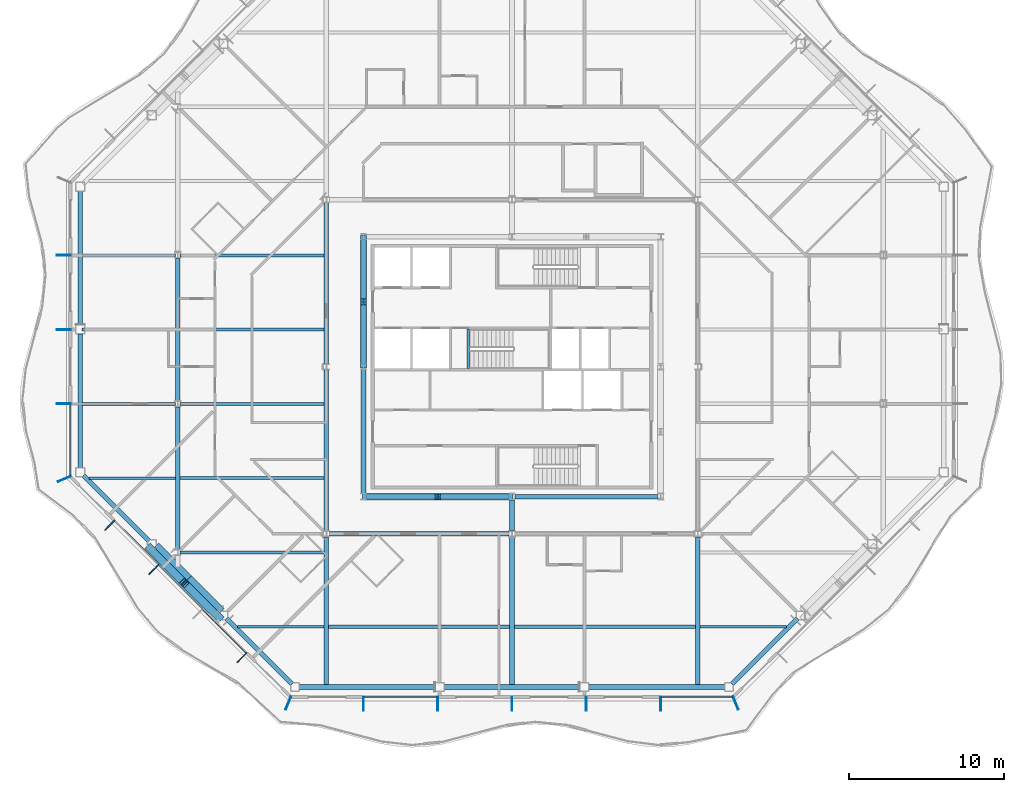
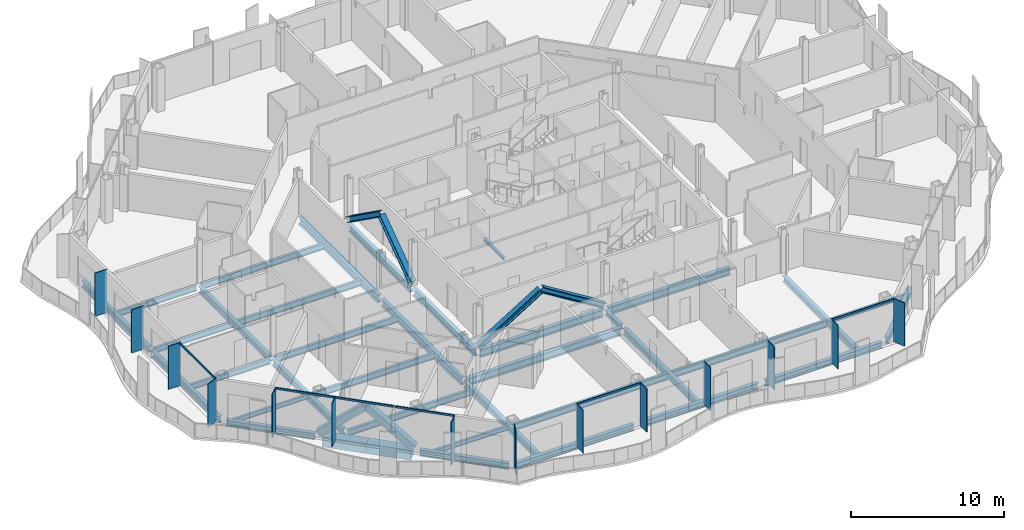
# One storey, part 3 of 21: 37 beams, 26 members, 4 elements without a shape of their own.
"""IFC4 building model written with IfcOpenShell, lengths in metres."""

from ifc_helpers import new_model, si_unit, direction, frame, origin, origin_2d, place, context, subcontext, project, spatial, rectangle, hollow_rectangle, i_section, extrude, material, material_profile, profile_set, type_object, element, aggregate, save


model = new_model("IFC4")

# Units and contexts
model_context = context("Model", 3, precision=1e-05, world=origin(), true_north=direction((0.0, 1.0)))
body_context = subcontext(model_context, "Body", "Model", "MODEL_VIEW")
ifc_project = project(units=[si_unit("LENGTHUNIT", "METRE"), si_unit("AREAUNIT", "SQUARE_METRE"), si_unit("VOLUMEUNIT", "CUBIC_METRE"), si_unit("PLANEANGLEUNIT", "RADIAN"), si_unit("MASSUNIT", "GRAM", prefix="KILO")], contexts=[model_context])

# Site, building, storey
site_placement = place(None, origin())
site = spatial("IfcSite", under=ifc_project, at=site_placement, CompositionType="ELEMENT")
building_placement = place(site_placement, origin())
building = spatial("IfcBuilding", under=site, at=building_placement, Name="Cairn Pilgrim Tower", CompositionType="ELEMENT")
storey_placement = place(building_placement, frame((0.0, 0.0, 154.199951171875)))
storey = spatial("IfcBuildingStorey", under=building, at=storey_placement, Name="L38", CompositionType="ELEMENT", Elevation=154.199951171875)

# Members
ifc_material_1 = material(Name="Structural steel S460M", Category="steel")
ifc_material_profile_1 = material_profile(ifc_material_1, hollow_rectangle(XDim=0.5, YDim=0.5, WallThickness=0.030029296875, at=origin_2d()), Name="BOX 500x500x30")
ifc_profile_set_1 = profile_set([ifc_material_profile_1], Name="Structural steel S460M")
member_type_1 = type_object("IfcMemberType", Name="BOX 500x500x30 BRACE", PredefinedType="BRACE", material=ifc_profile_set_1)
for number, where, z_axis, x_axis, name in (
    (1, (-16.243408203125, -9.2978515625, 0.150146484375), (0.532872437944, -0.54041586551, 0.651151024866), (0.712058976351, 0.702119658034, 0.0), "XB-SW2-SW3-1"),
    (2, (-11.697998046875, -13.84326171875, 0.150146484375), (-0.540432836476, 0.53283023714, 0.651171473306), (-0.702080283622, -0.712097799006, 0.0), "XB-SW2-SW3-2"),
):
    element("IfcMember", number, at=place(storey_placement, frame(where, z_axis=z_axis, x_axis=x_axis)), inside=storey, type_object=member_type_1, Name=name, PredefinedType="BRACE", context=body_context, shape_type="SweptSolid", body=[
        extrude(hollow_rectangle(XDim=0.5, YDim=0.5, WallThickness=0.030029296875, at=origin_2d()), origin(), (0.0, 0.0, 1.0), 4.142578125),
    ])

# Beams
ifc_material_2 = material(Name="Structural steel S355J2", Category="steel")
ifc_material_profile_2 = material_profile(ifc_material_2, hollow_rectangle(XDim=0.699951171875, YDim=0.800048828125, WallThickness=0.0400390625, at=origin_2d()), Name="BOX 700x800x40")
ifc_profile_set_2 = profile_set([ifc_material_profile_2], Name="Structural steel S355J2")
beam_type_1 = type_object("IfcBeamType", Name="BOX 700x800x40 RING GIRDER", PredefinedType="SPANDREL", material=ifc_profile_set_2)
beam_1_placement = place(storey_placement, frame((-15.884765625, -9.242431640625, -0.550048828125), z_axis=(0.707106781187, -0.707106781187, 0.0), x_axis=(0.707106781187, 0.707106781187, 0.0)))
element("IfcBeam", 3, at=beam_1_placement, inside=storey, type_object=beam_type_1, Name="RG2-SW2-SW3-1", PredefinedType="SPANDREL", context=body_context, shape_type="SweptSolid", body=[
    extrude(hollow_rectangle(XDim=0.699951171875, YDim=0.800048828125, WallThickness=0.0400390625, at=origin_2d()), origin(), (0.0, 0.0, 1.0), 2.999755859375),
])
beam_2_placement = place(storey_placement, frame((-13.763671875, -11.363525390625, -0.550048828125), z_axis=(0.707106781187, -0.707106781187, 0.0), x_axis=(0.707106781187, 0.707106781187, 0.0)))
element("IfcBeam", 4, at=beam_2_placement, inside=storey, type_object=beam_type_1, Name="RG2-SW2-SW3-2", PredefinedType="SPANDREL", context=body_context, shape_type="SweptSolid", body=[
    extrude(hollow_rectangle(XDim=0.699951171875, YDim=0.800048828125, WallThickness=0.0400390625, at=origin_2d()), origin(), (0.0, 0.0, 1.0), 3.0),
])

# Curtain wall, members
ifc_material_3 = material(Name="Aluminium alloy 6063-T6 bronze anodised with Bronze tinted laminated low-E glass 8+16+8.8", Category="aluminium")
curtain_wall_type_1 = type_object("IfcCurtainWallType", Name="TOWER STICK CURTAIN WALL NS", PredefinedType="NOTDEFINED", material=ifc_material_3)
curtain_wall_1_placement = place(storey_placement, origin())
curtain_wall_1 = element("IfcCurtainWall", 5, at=curtain_wall_1_placement, inside=storey, type_object=curtain_wall_type_1, Name="Tower Stick Curtain Wall Ns S", PredefinedType="NOTDEFINED")
ifc_material_4 = material(Name="Aluminium alloy 6063-T6 bronze anodised", Category="aluminium")
ifc_material_profile_3 = material_profile(ifc_material_4, rectangle(XDim=0.89990234375, YDim=0.06005859375, at=origin_2d()), Name="FIN MULLION 60x900 BRONZE")
ifc_profile_set_3 = profile_set([ifc_material_profile_3], Name="Aluminium alloy 6063-T6 bronze anodised")
member_type_2 = type_object("IfcMemberType", Name="FIN MULLION 60x900 BRONZE", PredefinedType="MULLION", material=ifc_profile_set_3)
member_1_placement = place(storey_placement, frame((-7.257080078125, -19.338134765625, 0.0), z_axis=(0.0, 0.0, 1.0), x_axis=(-0.382683432365, -0.923879532511, 0.0)))
member_1 = element("IfcMember", 6, at=member_1_placement, type_object=member_type_2, Name="Fin mullion S1", PredefinedType="MULLION", context=body_context, shape_type="SweptSolid", body=[
    extrude(rectangle(XDim=0.89990234375, YDim=0.06005859375, at=origin_2d()), origin(), (0.0, 0.0, 1.0), 3.449951171875),
])
member_2_placement = place(storey_placement, frame((-2.39990234375, -19.3701171875, 0.0), z_axis=(0.0, 0.0, 1.0), x_axis=(0.0, -1.0, 0.0)))
member_2 = element("IfcMember", 7, at=member_2_placement, type_object=member_type_2, Name="Fin mullion S2", PredefinedType="MULLION", context=body_context, shape_type="SweptSolid", body=[
    extrude(rectangle(XDim=0.89990234375, YDim=0.06005859375, at=origin_2d()), origin(), (0.0, 0.0, 1.0), 3.449951171875),
])
member_3_placement = place(storey_placement, frame((2.39990234375, -19.3701171875, 0.0), z_axis=(0.0, 0.0, 1.0), x_axis=(0.0, -1.0, 0.0)))
member_3 = element("IfcMember", 8, at=member_3_placement, type_object=member_type_2, Name="Fin mullion S3", PredefinedType="MULLION", context=body_context, shape_type="SweptSolid", body=[
    extrude(rectangle(XDim=0.89990234375, YDim=0.06005859375, at=origin_2d()), origin(), (0.0, 0.0, 1.0), 3.449951171875),
])
member_4_placement = place(storey_placement, frame((7.199951171875, -19.3701171875, 0.0), z_axis=(0.0, 0.0, 1.0), x_axis=(0.0, -1.0, 0.0)))
member_4 = element("IfcMember", 9, at=member_4_placement, type_object=member_type_2, Name="Fin mullion S4", PredefinedType="MULLION", context=body_context, shape_type="SweptSolid", body=[
    extrude(rectangle(XDim=0.89990234375, YDim=0.06005859375, at=origin_2d()), origin(), (0.0, 0.0, 1.0), 3.449951171875),
])
member_5_placement = place(storey_placement, frame((12.0, -19.3701171875, 0.0), z_axis=(0.0, 0.0, 1.0), x_axis=(0.0, -1.0, 0.0)))
member_5 = element("IfcMember", 10, at=member_5_placement, type_object=member_type_2, Name="Fin mullion S5", PredefinedType="MULLION", context=body_context, shape_type="SweptSolid", body=[
    extrude(rectangle(XDim=0.89990234375, YDim=0.06005859375, at=origin_2d()), origin(), (0.0, 0.0, 1.0), 3.449951171875),
])
member_6_placement = place(storey_placement, frame((16.800048828125, -19.3701171875, 0.0), z_axis=(0.0, 0.0, 1.0), x_axis=(0.0, -1.0, 0.0)))
member_6 = element("IfcMember", 11, at=member_6_placement, type_object=member_type_2, Name="Fin mullion S6", PredefinedType="MULLION", context=body_context, shape_type="SweptSolid", body=[
    extrude(rectangle(XDim=0.89990234375, YDim=0.06005859375, at=origin_2d()), origin(), (0.0, 0.0, 1.0), 3.449951171875),
])

# Curtain wall, member
curtain_wall_type_2 = type_object("IfcCurtainWallType", Name="CHAMFER CORNER CURTAIN WALL", PredefinedType="NOTDEFINED", material=ifc_material_3)
curtain_wall_2_placement = place(storey_placement, origin())
curtain_wall_2 = element("IfcCurtainWall", 12, at=curtain_wall_2_placement, inside=storey, type_object=curtain_wall_type_2, Name="Chamfer Corner Curtain Wall SE", PredefinedType="NOTDEFINED")
member_7_placement = place(storey_placement, frame((21.6572265625, -19.338134765625, 0.0), z_axis=(0.0, 0.0, 1.0), x_axis=(0.382683432365, -0.923879532511, 0.0)))
member_7 = element("IfcMember", 13, at=member_7_placement, type_object=member_type_2, Name="Fin mullion SE1", PredefinedType="MULLION", context=body_context, shape_type="SweptSolid", body=[
    extrude(rectangle(XDim=0.89990234375, YDim=0.06005859375, at=origin_2d()), origin(), (0.0, 0.0, 1.0), 3.449951171875),
])
aggregate(curtain_wall_2, [member_7])

# Curtain wall, members
curtain_wall_type_3 = type_object("IfcCurtainWallType", Name="TOWER STICK CURTAIN WALL EW", PredefinedType="NOTDEFINED", material=ifc_material_3)
curtain_wall_3_placement = place(storey_placement, origin())
curtain_wall_3 = element("IfcCurtainWall", 14, at=curtain_wall_3_placement, inside=storey, type_object=curtain_wall_type_3, Name="Tower Stick Curtain Wall Ew W", PredefinedType="NOTDEFINED")
member_8_placement = place(storey_placement, frame((-21.77001953125, 9.60009765625, 0.0), z_axis=(0.0, 0.0, 1.0), x_axis=(-1.0, 0.0, 0.0)))
member_8 = element("IfcMember", 15, at=member_8_placement, type_object=member_type_2, Name="Fin mullion W2", PredefinedType="MULLION", context=body_context, shape_type="SweptSolid", body=[
    extrude(rectangle(XDim=0.89990234375, YDim=0.06005859375, at=origin_2d()), origin(), (0.0, 0.0, 1.0), 3.449951171875),
])
member_9_placement = place(storey_placement, frame((-21.77001953125, 4.800048828125, 0.0), z_axis=(0.0, 0.0, 1.0), x_axis=(-1.0, 0.0, 0.0)))
member_9 = element("IfcMember", 16, at=member_9_placement, type_object=member_type_2, Name="Fin mullion W3", PredefinedType="MULLION", context=body_context, shape_type="SweptSolid", body=[
    extrude(rectangle(XDim=0.89990234375, YDim=0.06005859375, at=origin_2d()), origin(), (0.0, 0.0, 1.0), 3.449951171875),
])
member_10_placement = place(storey_placement, frame((-21.77001953125, 0.0, 0.0), z_axis=(0.0, 0.0, 1.0), x_axis=(-1.0, 0.0, 0.0)))
member_10 = element("IfcMember", 17, at=member_10_placement, type_object=member_type_2, Name="Fin mullion W4", PredefinedType="MULLION", context=body_context, shape_type="SweptSolid", body=[
    extrude(rectangle(XDim=0.89990234375, YDim=0.06005859375, at=origin_2d()), origin(), (0.0, 0.0, 1.0), 3.449951171875),
])

curtain_wall_4_placement = place(storey_placement, origin())
curtain_wall_4 = element("IfcCurtainWall", 18, at=curtain_wall_4_placement, inside=storey, type_object=curtain_wall_type_2, Name="Chamfer Corner Curtain Wall SW", PredefinedType="NOTDEFINED")
member_11_placement = place(storey_placement, frame((-21.738037109375, -4.857177734375, 0.0), z_axis=(0.0, 0.0, 1.0), x_axis=(-0.923879532511, -0.382683432365, 0.0)))
member_11 = element("IfcMember", 19, at=member_11_placement, type_object=member_type_2, Name="Fin mullion SW1", PredefinedType="MULLION", context=body_context, shape_type="SweptSolid", body=[
    extrude(rectangle(XDim=0.89990234375, YDim=0.06005859375, at=origin_2d()), origin(), (0.0, 0.0, 1.0), 3.449951171875),
])
member_12_placement = place(storey_placement, frame((-18.79638671875, -7.84423828125, 0.0), z_axis=(0.0, 0.0, 1.0), x_axis=(-0.707106781187, -0.707106781187, 0.0)))
member_12 = element("IfcMember", 20, at=member_12_placement, type_object=member_type_2, Name="Fin mullion SW2", PredefinedType="MULLION", context=body_context, shape_type="SweptSolid", body=[
    extrude(rectangle(XDim=0.89990234375, YDim=0.06005859375, at=origin_2d()), origin(), (0.0, 0.0, 1.0), 3.449951171875),
])
member_13_placement = place(storey_placement, frame((-15.945556640625, -10.69482421875, 0.0), z_axis=(0.0, 0.0, 1.0), x_axis=(-0.707106781187, -0.707106781187, 0.0)))
member_13 = element("IfcMember", 21, at=member_13_placement, type_object=member_type_2, Name="Fin mullion SW3", PredefinedType="MULLION", context=body_context, shape_type="SweptSolid", body=[
    extrude(rectangle(XDim=0.89990234375, YDim=0.06005859375, at=origin_2d()), origin(), (0.0, 0.0, 1.0), 3.449951171875),
])
member_14_placement = place(storey_placement, frame((-10.244140625, -16.396240234375, 0.0), z_axis=(0.0, 0.0, 1.0), x_axis=(-0.707106781187, -0.707106781187, 0.0)))
member_14 = element("IfcMember", 22, at=member_14_placement, type_object=member_type_2, Name="Fin mullion SW5", PredefinedType="MULLION", context=body_context, shape_type="SweptSolid", body=[
    extrude(rectangle(XDim=0.89990234375, YDim=0.06005859375, at=origin_2d()), origin(), (0.0, 0.0, 1.0), 3.449951171875),
])

# Members
ifc_material_profile_4 = material_profile(ifc_material_1, i_section(OverallWidth=0.408935546875, OverallDepth=0.425048828125, WebThickness=0.03271484375, FlangeThickness=0.052490234375, FilletRadius=0.014892578125, at=origin_2d()), Name="HD 400x421")
ifc_profile_set_4 = profile_set([ifc_material_profile_4], Name="Structural steel S460M")
member_type_3 = type_object("IfcMemberType", Name="HD 400x421 BRACE", PredefinedType="BRACE", material=ifc_profile_set_4)
member_15_placement = place(storey_placement, frame((-2.3583984375, -6.0, 0.10009765625), z_axis=(0.851119565216, 0.0, 0.524971890397), x_axis=(0.0, 1.0, 0.0)))
element("IfcMember", 23, at=member_15_placement, inside=storey, type_object=member_type_3, Name="KB-1A", PredefinedType="BRACE", context=body_context, shape_type="SweptSolid", body=[
    extrude(i_section(OverallWidth=0.408935546875, OverallDepth=0.425048828125, WebThickness=0.03271484375, FlangeThickness=0.052490234375, FilletRadius=0.014892578125, at=origin_2d()), origin(), (0.0, 0.0, 1.0), 5.528076171875),
])
member_16_placement = place(storey_placement, frame((7.158447265625, -6.0, 0.10009765625), z_axis=(-0.851131735799, 0.0, 0.52495215812), x_axis=(0.0, -1.0, 0.0)))
element("IfcMember", 24, at=member_16_placement, inside=storey, type_object=member_type_3, Name="KB-1B", PredefinedType="BRACE", context=body_context, shape_type="SweptSolid", body=[
    extrude(i_section(OverallWidth=0.408935546875, OverallDepth=0.425048828125, WebThickness=0.03271484375, FlangeThickness=0.052490234375, FilletRadius=0.014892578125, at=origin_2d()), origin(), (0.0, 0.0, 1.0), 5.5283203125),
])
for number, where, z_axis, x_axis, name in (
    (25, (-2.39990234375, 10.75830078125, 0.10009765625), (0.0, -0.81433042856, 0.580401544727), (1.0, 0.0, 0.0), "KB-4A"),
    (26, (-2.39990234375, 2.441650390625, 0.10009765625), (0.0, 0.81433042856, 0.580401544727), (-1.0, 0.0, 0.0), "KB-4B"),
):
    element("IfcMember", number, at=place(storey_placement, frame(where, z_axis=z_axis, x_axis=x_axis)), inside=storey, type_object=member_type_3, Name=name, PredefinedType="BRACE", context=body_context, shape_type="SweptSolid", body=[
        extrude(i_section(OverallWidth=0.408935546875, OverallDepth=0.425048828125, WebThickness=0.03271484375, FlangeThickness=0.052490234375, FilletRadius=0.014892578125, at=origin_2d()), origin(), (0.0, 0.0, 1.0), 4.998046875),
    ])

# Beams
ifc_material_profile_5 = material_profile(ifc_material_2, i_section(OverallWidth=0.300048828125, OverallDepth=0.39990234375, WebThickness=0.013427734375, FlangeThickness=0.02392578125, FilletRadius=0.027099609375, at=origin_2d()), Name="HEB 400")
ifc_profile_set_5 = profile_set([ifc_material_profile_5], Name="Structural steel S355J2")
beam_type_2 = type_object("IfcBeamType", Name="HEB 400 GIRDER", PredefinedType="BEAM", material=ifc_profile_set_5)
beam_3_placement = place(storey_placement, frame((7.199951171875, -8.200439453125, -0.349853515625), z_axis=(0.0, 1.0, 0.0), x_axis=(-1.0, 0.0, 0.0)))
element("IfcBeam", 27, at=beam_3_placement, inside=storey, type_object=beam_type_2, Name="PG3-E1", PredefinedType="BEAM", context=body_context, shape_type="SweptSolid", body=[
    extrude(i_section(OverallWidth=0.300048828125, OverallDepth=0.39990234375, WebThickness=0.013427734375, FlangeThickness=0.02392578125, FilletRadius=0.027099609375, at=origin_2d()), origin(), (0.0, 0.0, 1.0), 1.992431640625),
])
ifc_material_profile_6 = material_profile(ifc_material_2, i_section(OverallWidth=0.300048828125, OverallDepth=0.5, WebThickness=0.014404296875, FlangeThickness=0.028076171875, FilletRadius=0.027099609375, at=origin_2d()), Name="HEB 500")
ifc_profile_set_6 = profile_set([ifc_material_profile_6], Name="Structural steel S355J2")
beam_type_3 = type_object("IfcBeamType", Name="HEB 500 GIRDER", PredefinedType="BEAM", material=ifc_profile_set_6)
for number, where, z_axis, x_axis, name in (
    (28, (-14.39990234375, -9.400390625, -0.39990234375), (0.0, 1.0, 0.0), (-1.0, 0.0, 0.0), "PG1-1"),
    (29, (-14.39990234375, 0.199462890625, -0.39990234375), (0.0, 1.0, 0.0), (-1.0, 0.0, 0.0), "PG1-2"),
):
    element("IfcBeam", number, at=place(storey_placement, frame(where, z_axis=z_axis, x_axis=x_axis)), inside=storey, type_object=beam_type_3, Name=name, PredefinedType="BEAM", context=body_context, shape_type="SweptSolid", body=[
        extrude(i_section(OverallWidth=0.300048828125, OverallDepth=0.5, WebThickness=0.014404296875, FlangeThickness=0.028076171875, FilletRadius=0.027099609375, at=origin_2d()), origin(), (0.0, 0.0, 1.0), 9.200927734375),
    ])
for number, where, z_axis, x_axis, name in (
    (30, (-4.800048828125, -18.179931640625, -0.39990234375), (0.0, 1.0, 0.0), (-1.0, 0.0, 0.0), "PG2-1"),
    (31, (7.199951171875, -18.179931640625, -0.39990234375), (0.0, 1.0, 0.0), (-1.0, 0.0, 0.0), "PG3-1"),
    (32, (19.199951171875, -18.179931640625, -0.39990234375), (0.0, 1.0, 0.0), (-1.0, 0.0, 0.0), "PG4-1"),
):
    element("IfcBeam", number, at=place(storey_placement, frame(where, z_axis=z_axis, x_axis=x_axis)), inside=storey, type_object=beam_type_3, Name=name, PredefinedType="BEAM", context=body_context, shape_type="SweptSolid", body=[
        extrude(i_section(OverallWidth=0.300048828125, OverallDepth=0.5, WebThickness=0.014404296875, FlangeThickness=0.028076171875, FilletRadius=0.027099609375, at=origin_2d()), origin(), (0.0, 0.0, 1.0), 9.580322265625),
    ])
ifc_material_profile_7 = material_profile(ifc_material_2, i_section(OverallWidth=0.300048828125, OverallDepth=0.5, WebThickness=0.014404296875, FlangeThickness=0.028076171875, FilletRadius=0.027099609375, at=origin_2d()), Name="HEB 500")
ifc_profile_set_7 = profile_set([ifc_material_profile_7], Name="Structural steel S355J2")
beam_type_4 = type_object("IfcBeamType", Name="HEB 500 RING GIRDER", PredefinedType="SPANDREL", material=ifc_profile_set_7)
for number, where, z_axis, x_axis, name in (
    (33, (-6.55712890625, -18.300048828125, -0.39990234375), (1.0, 0.0, 0.0), (0.0, 1.0, 0.0), "RG2-S1-S2"),
    (34, (2.794189453125, -18.300048828125, -0.39990234375), (1.0, 0.0, 0.0), (0.0, 1.0, 0.0), "RG2-S2-S3"),
    (35, (12.145751953125, -18.300048828125, -0.39990234375), (1.0, 0.0, 0.0), (0.0, 1.0, 0.0), "RG2-S3-SE1"),
):
    element("IfcBeam", number, at=place(storey_placement, frame(where, z_axis=z_axis, x_axis=x_axis)), inside=storey, type_object=beam_type_4, Name=name, PredefinedType="SPANDREL", context=body_context, shape_type="SweptSolid", body=[
        extrude(i_section(OverallWidth=0.300048828125, OverallDepth=0.5, WebThickness=0.014404296875, FlangeThickness=0.028076171875, FilletRadius=0.027099609375, at=origin_2d()), origin(), (0.0, 0.0, 1.0), 8.8115234375),
    ])
beam_4_placement = place(storey_placement, frame((21.418212890625, -18.109130859375, -0.39990234375), z_axis=(0.707106781187, 0.707106781187, 0.0), x_axis=(-0.707106781187, 0.707106781187, 0.0)))
element("IfcBeam", 36, at=beam_4_placement, inside=storey, type_object=beam_type_4, Name="RG2-SE1-SE2", PredefinedType="SPANDREL", context=body_context, shape_type="SweptSolid", body=[
    extrude(i_section(OverallWidth=0.300048828125, OverallDepth=0.5, WebThickness=0.014404296875, FlangeThickness=0.028076171875, FilletRadius=0.027099609375, at=origin_2d()), origin(), (0.0, 0.0, 1.0), 5.999755859375),
])
beam_5_placement = place(storey_placement, frame((-20.699951171875, 13.757080078125, -0.39990234375), z_axis=(0.0, -1.0, 0.0), x_axis=(1.0, 0.0, 0.0)))
element("IfcBeam", 37, at=beam_5_placement, inside=storey, type_object=beam_type_4, Name="RG2-W1-W2", PredefinedType="SPANDREL", context=body_context, shape_type="SweptSolid", body=[
    extrude(i_section(OverallWidth=0.300048828125, OverallDepth=0.5, WebThickness=0.014404296875, FlangeThickness=0.028076171875, FilletRadius=0.027099609375, at=origin_2d()), origin(), (0.0, 0.0, 1.0), 8.68701171875),
])
beam_6_placement = place(storey_placement, frame((-20.699951171875, 4.530029296875, -0.39990234375), z_axis=(0.0, -1.0, 0.0), x_axis=(1.0, 0.0, 0.0)))
element("IfcBeam", 38, at=beam_6_placement, inside=storey, type_object=beam_type_4, Name="RG2-W2-SW1", PredefinedType="SPANDREL", context=body_context, shape_type="SweptSolid", body=[
    extrude(i_section(OverallWidth=0.300048828125, OverallDepth=0.5, WebThickness=0.014404296875, FlangeThickness=0.028076171875, FilletRadius=0.027099609375, at=origin_2d()), origin(), (0.0, 0.0, 1.0), 8.687255859375),
])
for number, where, z_axis, x_axis, name in (
    (39, (-20.509033203125, -4.6181640625, -0.39990234375), (0.707106781187, -0.707106781187, 0.0), (0.707106781187, 0.707106781187, 0.0), "RG2-SW1-SW2"),
    (40, (-11.260498046875, -13.86669921875, -0.39990234375), (0.707106781187, -0.707106781187, 0.0), (0.707106781187, 0.707106781187, 0.0), "RG2-SW3-S1"),
):
    element("IfcBeam", number, at=place(storey_placement, frame(where, z_axis=z_axis, x_axis=x_axis)), inside=storey, type_object=beam_type_4, Name=name, PredefinedType="SPANDREL", context=body_context, shape_type="SweptSolid", body=[
        extrude(i_section(OverallWidth=0.300048828125, OverallDepth=0.5, WebThickness=0.014404296875, FlangeThickness=0.028076171875, FilletRadius=0.027099609375, at=origin_2d()), origin(), (0.0, 0.0, 1.0), 5.999755859375),
    ])
ifc_material_profile_8 = material_profile(ifc_material_2, i_section(OverallWidth=0.300048828125, OverallDepth=0.60009765625, WebThickness=0.015380859375, FlangeThickness=0.030029296875, FilletRadius=0.027099609375, at=origin_2d()), Name="HEB 600")
ifc_profile_set_8 = profile_set([ifc_material_profile_8], Name="Structural steel S355J2")
beam_type_5 = type_object("IfcBeamType", Name="HEB 600 CORE BEAM", PredefinedType="BEAM", material=ifc_profile_set_8)
for number, where, z_axis, x_axis, name in (
    (41, (-2.212890625, -6.0, -0.449951171875), (1.0, 0.0, 0.0), (0.0, 1.0, 0.0), "CB-1"),
    (42, (7.38720703125, -6.0, -0.449951171875), (1.0, 0.0, 0.0), (0.0, 1.0, 0.0), "CB-2"),
):
    element("IfcBeam", number, at=place(storey_placement, frame(where, z_axis=z_axis, x_axis=x_axis)), inside=storey, type_object=beam_type_5, Name=name, PredefinedType="BEAM", context=body_context, shape_type="SweptSolid", body=[
        extrude(i_section(OverallWidth=0.300048828125, OverallDepth=0.60009765625, WebThickness=0.015380859375, FlangeThickness=0.030029296875, FilletRadius=0.027099609375, at=origin_2d()), origin(), (0.0, 0.0, 1.0), 9.2255859375),
    ])
for number, where, z_axis, x_axis, name in (
    (43, (-2.39990234375, 10.61279296875, -0.449951171875), (0.0, -1.0, 0.0), (1.0, 0.0, 0.0), "CB-7"),
    (44, (-2.39990234375, 2.212890625, -0.449951171875), (0.0, -1.0, 0.0), (1.0, 0.0, 0.0), "CB-8"),
):
    element("IfcBeam", number, at=place(storey_placement, frame(where, z_axis=z_axis, x_axis=x_axis)), inside=storey, type_object=beam_type_5, Name=name, PredefinedType="BEAM", context=body_context, shape_type="SweptSolid", body=[
        extrude(i_section(OverallWidth=0.300048828125, OverallDepth=0.60009765625, WebThickness=0.015380859375, FlangeThickness=0.030029296875, FilletRadius=0.027099609375, at=origin_2d()), origin(), (0.0, 0.0, 1.0), 8.025634765625),
    ])
ifc_material_profile_9 = material_profile(ifc_material_2, i_section(OverallWidth=0.300048828125, OverallDepth=0.60009765625, WebThickness=0.015380859375, FlangeThickness=0.030029296875, FilletRadius=0.027099609375, at=origin_2d()), Name="HEB 600")
ifc_profile_set_9 = profile_set([ifc_material_profile_9], Name="Structural steel S355J2")
beam_type_6 = type_object("IfcBeamType", Name="HEB 600 GIRDER", PredefinedType="BEAM", material=ifc_profile_set_9)
for number, where, z_axis, x_axis, name in (
    (45, (-4.800048828125, -8.200439453125, -0.449951171875), (0.0, 1.0, 0.0), (-1.0, 0.0, 0.0), "PG2-2"),
    (46, (-4.800048828125, 2.599609375, -0.449951171875), (0.0, 1.0, 0.0), (-1.0, 0.0, 0.0), "PG2-3"),
):
    element("IfcBeam", number, at=place(storey_placement, frame(where, z_axis=z_axis, x_axis=x_axis)), inside=storey, type_object=beam_type_6, Name=name, PredefinedType="BEAM", context=body_context, shape_type="SweptSolid", body=[
        extrude(i_section(OverallWidth=0.300048828125, OverallDepth=0.60009765625, WebThickness=0.015380859375, FlangeThickness=0.030029296875, FilletRadius=0.027099609375, at=origin_2d()), origin(), (0.0, 0.0, 1.0), 10.40087890625),
    ])
ifc_material_profile_10 = material_profile(ifc_material_2, i_section(OverallWidth=0.300048828125, OverallDepth=0.60009765625, WebThickness=0.015380859375, FlangeThickness=0.030029296875, FilletRadius=0.027099609375, at=origin_2d()), Name="HEB 600")
ifc_profile_set_10 = profile_set([ifc_material_profile_10], Name="Structural steel S355J2")
beam_type_7 = type_object("IfcBeamType", Name="HEB 600 INNER GIRDER", PredefinedType="BEAM", material=ifc_profile_set_10)
beam_7_placement = place(storey_placement, frame((-4.6005859375, -8.39990234375, -0.449951171875), z_axis=(1.0, 0.0, 0.0), x_axis=(0.0, 1.0, 0.0)))
element("IfcBeam", 47, at=beam_7_placement, inside=storey, type_object=beam_type_7, Name="IG1-1", PredefinedType="BEAM", context=body_context, shape_type="SweptSolid", body=[
    extrude(i_section(OverallWidth=0.300048828125, OverallDepth=0.60009765625, WebThickness=0.015380859375, FlangeThickness=0.030029296875, FilletRadius=0.027099609375, at=origin_2d()), origin(), (0.0, 0.0, 1.0), 11.60107421875),
])
ifc_material_profile_11 = material_profile(ifc_material_2, i_section(OverallWidth=0.169921875, OverallDepth=0.360107421875, WebThickness=0.008056640625, FlangeThickness=0.0126953125, FilletRadius=0.01806640625, at=origin_2d()), Name="IPE 360")
ifc_profile_set_11 = profile_set([ifc_material_profile_11], Name="Structural steel S355J2")
beam_type_8 = type_object("IfcBeamType", Name="IPE 360 SECONDARY BEAM", PredefinedType="JOIST", material=ifc_profile_set_11)
beam_8_placement = place(storey_placement, frame((-10.545166015625, -14.39990234375, -0.329833984375), z_axis=(1.0, 0.0, 0.0), x_axis=(0.0, 1.0, 0.0)))
element("IfcBeam", 48, at=beam_8_placement, inside=storey, type_object=beam_type_8, Name="SB1-1", PredefinedType="JOIST", context=body_context, shape_type="SweptSolid", body=[
    extrude(i_section(OverallWidth=0.169921875, OverallDepth=0.360107421875, WebThickness=0.008056640625, FlangeThickness=0.0126953125, FilletRadius=0.01806640625, at=origin_2d()), origin(), (0.0, 0.0, 1.0), 5.59521484375),
])
for number, where, z_axis, x_axis, name in (
    (49, (19.35009765625, -14.39990234375, -0.329833984375), (1.0, 0.0, 0.0), (0.0, 1.0, 0.0), "SB1-4"),
    (50, (-20.14501953125, -4.800048828125, -0.329833984375), (1.0, 0.0, 0.0), (0.0, 1.0, 0.0), "SB3-1"),
):
    element("IfcBeam", number, at=place(storey_placement, frame(where, z_axis=z_axis, x_axis=x_axis)), inside=storey, type_object=beam_type_8, Name=name, PredefinedType="JOIST", context=body_context, shape_type="SweptSolid", body=[
        extrude(i_section(OverallWidth=0.169921875, OverallDepth=0.360107421875, WebThickness=0.008056640625, FlangeThickness=0.0126953125, FilletRadius=0.01806640625, at=origin_2d()), origin(), (0.0, 0.0, 1.0), 5.594970703125),
    ])
ifc_material_profile_12 = material_profile(ifc_material_2, i_section(OverallWidth=0.18994140625, OverallDepth=0.449951171875, WebThickness=0.009521484375, FlangeThickness=0.0146484375, FilletRadius=0.02099609375, at=origin_2d()), Name="IPE 450")
ifc_profile_set_12 = profile_set([ifc_material_profile_12], Name="Structural steel S355J2")
beam_type_9 = type_object("IfcBeamType", Name="IPE 450 SECONDARY BEAM", PredefinedType="JOIST", material=ifc_profile_set_12)
for number, where, z_axis, x_axis, name in (
    (51, (-20.580078125, 0.0, -0.375), (1.0, 0.0, 0.0), (0.0, 1.0, 0.0), "SB4-1"),
    (52, (-20.580078125, 4.800048828125, -0.375), (1.0, 0.0, 0.0), (0.0, 1.0, 0.0), "SB5-1"),
    (53, (-20.580078125, 9.60009765625, -0.375), (1.0, 0.0, 0.0), (0.0, 1.0, 0.0), "SB6-1"),
):
    element("IfcBeam", number, at=place(storey_placement, frame(where, z_axis=z_axis, x_axis=x_axis)), inside=storey, type_object=beam_type_9, Name=name, PredefinedType="JOIST", context=body_context, shape_type="SweptSolid", body=[
        extrude(i_section(OverallWidth=0.18994140625, OverallDepth=0.449951171875, WebThickness=0.009521484375, FlangeThickness=0.0146484375, FilletRadius=0.02099609375, at=origin_2d()), origin(), (0.0, 0.0, 1.0), 6.030029296875),
    ])
ifc_material_profile_13 = material_profile(ifc_material_2, i_section(OverallWidth=0.199951171875, OverallDepth=0.5, WebThickness=0.01025390625, FlangeThickness=0.01611328125, FilletRadius=0.02099609375, at=origin_2d()), Name="IPE 500")
ifc_profile_set_13 = profile_set([ifc_material_profile_13], Name="Structural steel S355J2")
beam_type_10 = type_object("IfcBeamType", Name="IPE 500 SECONDARY BEAM", PredefinedType="JOIST", material=ifc_profile_set_13)
for number, where, z_axis, x_axis, name in (
    (54, (-14.25, -9.60009765625, -0.39990234375), (1.0, 0.0, 0.0), (0.0, 1.0, 0.0), "SB2-1"),
    (55, (-14.25, -4.800048828125, -0.39990234375), (1.0, 0.0, 0.0), (0.0, 1.0, 0.0), "SB3-2"),
    (56, (-14.25, 0.0, -0.39990234375), (1.0, 0.0, 0.0), (0.0, 1.0, 0.0), "SB4-2"),
    (57, (-14.25, 4.800048828125, -0.39990234375), (1.0, 0.0, 0.0), (0.0, 1.0, 0.0), "SB5-2"),
    (58, (-14.25, 9.60009765625, -0.39990234375), (1.0, 0.0, 0.0), (0.0, 1.0, 0.0), "SB6-2"),
):
    element("IfcBeam", number, at=place(storey_placement, frame(where, z_axis=z_axis, x_axis=x_axis)), inside=storey, type_object=beam_type_10, Name=name, PredefinedType="JOIST", context=body_context, shape_type="SweptSolid", body=[
        extrude(i_section(OverallWidth=0.199951171875, OverallDepth=0.5, WebThickness=0.01025390625, FlangeThickness=0.01611328125, FilletRadius=0.02099609375, at=origin_2d()), origin(), (0.0, 0.0, 1.0), 9.300048828125),
    ])
ifc_material_profile_14 = material_profile(ifc_material_2, i_section(OverallWidth=0.2099609375, OverallDepth=0.550048828125, WebThickness=0.010986328125, FlangeThickness=0.01708984375, FilletRadius=0.02392578125, at=origin_2d()), Name="IPE 550")
ifc_profile_set_14 = profile_set([ifc_material_profile_14], Name="Structural steel S355J2")
beam_type_11 = type_object("IfcBeamType", Name="IPE 550 SECONDARY BEAM", PredefinedType="JOIST", material=ifc_profile_set_14)
for number, where, z_axis, x_axis, name in (
    (59, (-4.64990234375, -14.39990234375, -0.425048828125), (1.0, 0.0, 0.0), (0.0, 1.0, 0.0), "SB1-2"),
    (60, (7.35009765625, -14.39990234375, -0.425048828125), (1.0, 0.0, 0.0), (0.0, 1.0, 0.0), "SB1-3"),
):
    element("IfcBeam", number, at=place(storey_placement, frame(where, z_axis=z_axis, x_axis=x_axis)), inside=storey, type_object=beam_type_11, Name=name, PredefinedType="JOIST", context=body_context, shape_type="SweptSolid", body=[
        extrude(i_section(OverallWidth=0.2099609375, OverallDepth=0.550048828125, WebThickness=0.010986328125, FlangeThickness=0.01708984375, FilletRadius=0.02392578125, at=origin_2d()), origin(), (0.0, 0.0, 1.0), 11.699951171875),
    ])
ifc_material_profile_15 = material_profile(ifc_material_2, i_section(OverallWidth=0.199951171875, OverallDepth=0.199951171875, WebThickness=0.009033203125, FlangeThickness=0.014892578125, FilletRadius=0.01806640625, at=origin_2d()), Name="HE 200 B")
ifc_profile_set_15 = profile_set([ifc_material_profile_15], Name="Structural steel S355J2")
beam_type_12 = type_object("IfcBeamType", Name="STAIR LANDING BEAM HE 200 B", PredefinedType="BEAM", material=ifc_profile_set_15)
beam_9_placement = place(storey_placement, frame((4.37548828125, 2.27490234375, -0.25), z_axis=(0.0, 1.0, 0.0), x_axis=(-1.0, 0.0, 0.0)))
element("IfcBeam", 61, at=beam_9_placement, inside=storey, type_object=beam_type_12, Name="STAIR LANDING BEAM LD-HE200B", PredefinedType="BEAM", context=body_context, shape_type="SweptSolid", body=[
    extrude(i_section(OverallWidth=0.199951171875, OverallDepth=0.199951171875, WebThickness=0.009033203125, FlangeThickness=0.014892578125, FilletRadius=0.01806640625, at=origin_2d()), origin(), (0.0, 0.0, 1.0), 2.550048828125),
])

# Member
ifc_material_profile_16 = material_profile(ifc_material_4, rectangle(XDim=0.080078125, YDim=0.14990234375, at=origin_2d()), Name="TRANSOM 80x150 BRONZE")
ifc_profile_set_16 = profile_set([ifc_material_profile_16], Name="Aluminium alloy 6063-T6 bronze anodised")
member_type_4 = type_object("IfcMemberType", Name="TRANSOM 80x150 BRONZE", PredefinedType="USERDEFINED", material=ifc_profile_set_16)
member_17_placement = place(storey_placement, frame((-2.3701171875, -18.949951171875, 3.375), z_axis=(1.0, 0.0, 0.0), x_axis=(0.0, 1.0, 0.0)))
member_17 = element("IfcMember", 62, at=member_17_placement, type_object=member_type_4, Name="Transom S2", ObjectType="TRANSOM", PredefinedType="USERDEFINED", context=body_context, shape_type="SweptSolid", body=[
    extrude(rectangle(XDim=0.080078125, YDim=0.14990234375, at=origin_2d()), origin(), (0.0, 0.0, 1.0), 4.740234375),
])

member_18_placement = place(storey_placement, frame((16.830078125, -18.949951171875, 3.375), z_axis=(1.0, 0.0, 0.0), x_axis=(0.0, 1.0, 0.0)))
member_18 = element("IfcMember", 63, at=member_18_placement, type_object=member_type_4, Name="Transom S6", ObjectType="TRANSOM", PredefinedType="USERDEFINED", context=body_context, shape_type="SweptSolid", body=[
    extrude(rectangle(XDim=0.080078125, YDim=0.14990234375, at=origin_2d()), origin(), (0.0, 0.0, 1.0), 4.62646484375),
])

aggregate(curtain_wall_1, [member_1, member_2, member_3, member_4, member_5, member_6, member_17, member_18])

member_19_placement = place(storey_placement, frame((-21.35009765625, -0.030029296875, 3.375), z_axis=(0.0, -1.0, 0.0), x_axis=(1.0, 0.0, 0.0)))
member_19 = element("IfcMember", 64, at=member_19_placement, type_object=member_type_4, Name="Transom W4", ObjectType="TRANSOM", PredefinedType="USERDEFINED", context=body_context, shape_type="SweptSolid", body=[
    extrude(rectangle(XDim=0.080078125, YDim=0.14990234375, at=origin_2d()), origin(), (0.0, 0.0, 1.0), 4.62646484375),
])

aggregate(curtain_wall_3, [member_8, member_9, member_10, member_19])

member_20_placement = place(storey_placement, frame((-18.47802734375, -7.568359375, 3.375), z_axis=(0.707106781187, -0.707106781187, 0.0), x_axis=(0.707106781187, 0.707106781187, 0.0)))
member_20 = element("IfcMember", 65, at=member_20_placement, type_object=member_type_4, Name="Transom SW2", ObjectType="TRANSOM", PredefinedType="USERDEFINED", context=body_context, shape_type="SweptSolid", body=[
    extrude(rectangle(XDim=0.080078125, YDim=0.14990234375, at=origin_2d()), origin(), (0.0, 0.0, 1.0), 3.9716796875),
])

member_21_placement = place(storey_placement, frame((-15.62744140625, -10.419189453125, 3.375), z_axis=(0.70713751761, -0.707076043427, 0.0), x_axis=(0.707076043427, 0.70713751761, 0.0)))
member_21 = element("IfcMember", 66, at=member_21_placement, type_object=member_type_4, Name="Transom SW3", ObjectType="TRANSOM", PredefinedType="USERDEFINED", context=body_context, shape_type="SweptSolid", body=[
    extrude(rectangle(XDim=0.080078125, YDim=0.14990234375, at=origin_2d()), origin(), (0.0, 0.0, 1.0), 3.971435546875),
])

member_22_placement = place(storey_placement, frame((-12.776611328125, -13.269775390625, 3.375), z_axis=(0.707106781187, -0.707106781187, 0.0), x_axis=(0.707106781187, 0.707106781187, 0.0)))
member_22 = element("IfcMember", 67, at=member_22_placement, type_object=member_type_4, Name="Transom SW4", ObjectType="TRANSOM", PredefinedType="USERDEFINED", context=body_context, shape_type="SweptSolid", body=[
    extrude(rectangle(XDim=0.080078125, YDim=0.14990234375, at=origin_2d()), origin(), (0.0, 0.0, 1.0), 3.9716796875),
])

aggregate(curtain_wall_4, [member_11, member_12, member_13, member_14, member_20, member_21, member_22])

save(model, "model.ifc")
